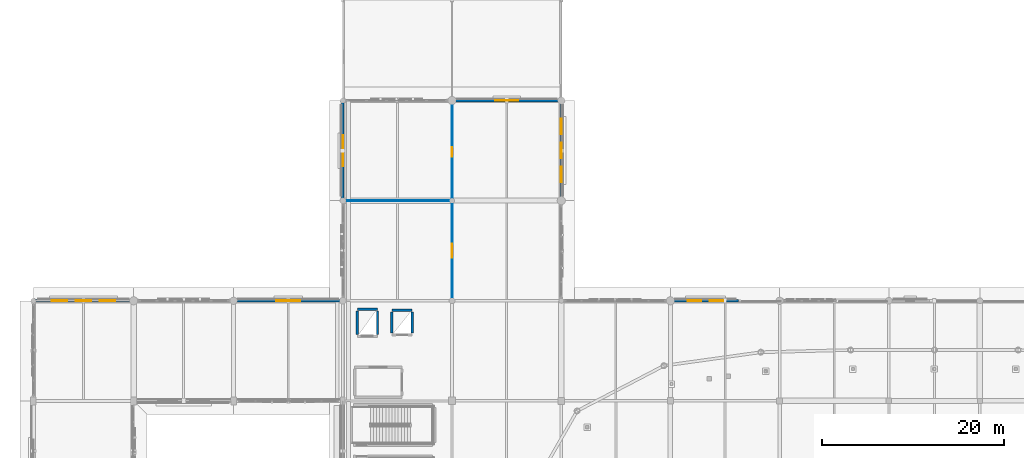
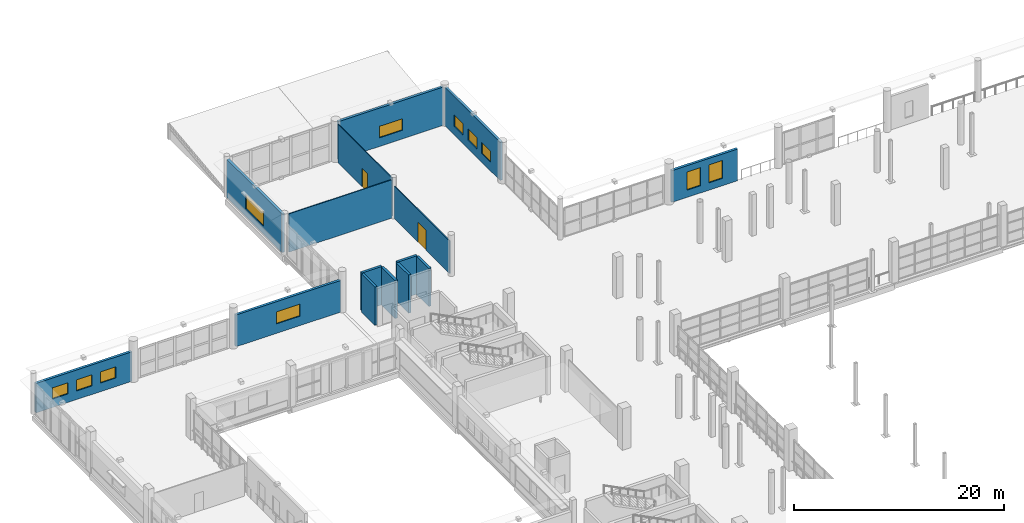
# One storey, part 95 of 143: 15 walls, 11 windows, 2 doors, 13 openings.
"""IFC4 building model written with IfcOpenShell, lengths in metres."""

from ifc_helpers import new_model, si_unit, direction, frame, frame_2d, origin, place, context, subcontext, project, spatial, rectangle, extrude, material, layer, layer_set, type_object, element, fill, save


model = new_model("IFC4")

# Units and contexts
model_context = context("Model", 3, precision=1e-05, world=origin(), true_north=direction((0.0, 1.0)))
body_context = subcontext(model_context, "Body", "Model", "MODEL_VIEW")
ifc_project = project(units=[si_unit("LENGTHUNIT", "METRE"), si_unit("AREAUNIT", "SQUARE_METRE"), si_unit("VOLUMEUNIT", "CUBIC_METRE"), si_unit("PLANEANGLEUNIT", "RADIAN"), si_unit("MASSUNIT", "GRAM", prefix="KILO")], contexts=[model_context])

# Site, building, storey
site_placement = place(None, origin())
site = spatial("IfcSite", under=ifc_project, at=site_placement, CompositionType="ELEMENT")
building_placement = place(site_placement, origin())
building = spatial("IfcBuilding", under=site, at=building_placement, Name="Luwafu Chhajja Arena", CompositionType="ELEMENT")
storey_placement = place(building_placement, frame((0.0, 0.0, 5.39990234375)))
storey = spatial("IfcBuildingStorey", under=building, at=storey_placement, Name="L01", CompositionType="ELEMENT", Elevation=5.39990234375)

# Wall, openings, windows
ifc_material_1 = material(Name="Concrete C35/45", Category="concrete")
ifc_layer_1 = layer(ifc_material_1, 0.280029296875, Name="Concrete C35/45")
ifc_layer_set_1 = layer_set([ifc_layer_1], Name="Concrete C35/45")
wall_type_1 = type_object("IfcWallType", Name="Colonnade Arcade Spandrel Wall 280", PredefinedType="SOLIDWALL", material=ifc_layer_set_1)
wall_1_placement = place(storey_placement, frame((0.219970703125, 99.0, 0.0), z_axis=(0.0, 0.0, 1.0), x_axis=(1.0, 0.0, 0.0)))
wall_1 = element("IfcWall", 1, at=wall_1_placement, inside=storey, type_object=wall_type_1, Name="L01 Exterior Wall WEX-L01-113", PredefinedType="SOLIDWALL", context=body_context, shape_type="SweptSolid", body=[
    extrude(rectangle(XDim=10.56005859375, YDim=0.280029296875, at=frame_2d((5.280029296875, 0.0))), origin(), (0.0, 0.0, 1.0), 3.440185546875),
])
opening_1_placement = place(wall_1_placement, frame((1.7900390625, 0.0, 1.0)))
opening_1 = element("IfcOpeningElement", 2, at=opening_1_placement, cuts=wall_1, Name="Opening WN-21", PredefinedType="OPENING", context=body_context, shape_type="SweptSolid", body=[
    extrude(rectangle(XDim=1.699951171875, YDim=1.300048828125, at=frame_2d((0.85009765625, 0.64990234375))), frame((0.0, 0.14990234375, 0.0), z_axis=(0.0, -1.0, 0.0), x_axis=(1.0, 0.0, 0.0)), (0.0, 0.0, 1.0), 0.300048828125),
])
opening_2_placement = place(wall_1_placement, frame((4.429931640625, 0.0, 1.0)))
opening_2 = element("IfcOpeningElement", 3, at=opening_2_placement, cuts=wall_1, Name="Opening WN-21", PredefinedType="OPENING", context=body_context, shape_type="SweptSolid", body=[
    extrude(rectangle(XDim=1.699951171875, YDim=1.300048828125, at=frame_2d((0.85009765625, 0.64990234375))), frame((0.0, 0.14990234375, 0.0), z_axis=(0.0, -1.0, 0.0), x_axis=(1.0, 0.0, 0.0)), (0.0, 0.0, 1.0), 0.300048828125),
])
opening_3_placement = place(wall_1_placement, frame((7.070068359375, 0.0, 1.0)))
opening_3 = element("IfcOpeningElement", 4, at=opening_3_placement, cuts=wall_1, Name="Opening WN-21", PredefinedType="OPENING", context=body_context, shape_type="SweptSolid", body=[
    extrude(rectangle(XDim=1.699951171875, YDim=1.300048828125, at=frame_2d((0.85009765625, 0.64990234375))), frame((0.0, 0.14990234375, 0.0), z_axis=(0.0, -1.0, 0.0), x_axis=(1.0, 0.0, 0.0)), (0.0, 0.0, 1.0), 0.300048828125),
])
ifc_material_2 = material(Name="Solar-control laminated glass", Category="glass")
window_type_1 = type_object("IfcWindowType", Name="Technical Gallery Louvred Window 1700x1300", PartitioningType="SINGLE_PANEL", PredefinedType="WINDOW", material=ifc_material_2)
window_1_placement = place(opening_1_placement, origin())
window_1 = element("IfcWindow", 5, at=window_1_placement, inside=storey, type_object=window_type_1, Name="L01 Facade Window 020", OverallHeight=1.300048828125, OverallWidth=1.699951171875, PartitioningType="SINGLE_PANEL", PredefinedType="WINDOW", context=body_context, shape_type="SweptSolid", body=[
    extrude(rectangle(XDim=1.699951171875, YDim=1.300048828125, at=frame_2d((0.85009765625, 0.64990234375))), frame((0.0, 0.030029296875, 0.0), z_axis=(0.0, -1.0, 0.0), x_axis=(1.0, 0.0, 0.0)), (0.0, 0.0, 1.0), 0.06005859375),
])
fill(opening_1, window_1)
window_2_placement = place(opening_2_placement, origin())
window_2 = element("IfcWindow", 6, at=window_2_placement, inside=storey, type_object=window_type_1, Name="L01 Facade Window 021", OverallHeight=1.300048828125, OverallWidth=1.699951171875, PartitioningType="SINGLE_PANEL", PredefinedType="WINDOW", context=body_context, shape_type="SweptSolid", body=[
    extrude(rectangle(XDim=1.699951171875, YDim=1.300048828125, at=frame_2d((0.85009765625, 0.64990234375))), frame((0.0, 0.030029296875, 0.0), z_axis=(0.0, -1.0, 0.0), x_axis=(1.0, 0.0, 0.0)), (0.0, 0.0, 1.0), 0.06005859375),
])
fill(opening_2, window_2)
window_3_placement = place(opening_3_placement, origin())
window_3 = element("IfcWindow", 7, at=window_3_placement, inside=storey, type_object=window_type_1, Name="L01 Facade Window 022", OverallHeight=1.300048828125, OverallWidth=1.699951171875, PartitioningType="SINGLE_PANEL", PredefinedType="WINDOW", context=body_context, shape_type="SweptSolid", body=[
    extrude(rectangle(XDim=1.699951171875, YDim=1.300048828125, at=frame_2d((0.85009765625, 0.64990234375))), frame((0.0, 0.030029296875, 0.0), z_axis=(0.0, -1.0, 0.0), x_axis=(1.0, 0.0, 0.0)), (0.0, 0.0, 1.0), 0.06005859375),
])
fill(opening_3, window_3)

# Wall, opening, window
wall_2_placement = place(storey_placement, frame((22.219970703125, 99.0, 0.0), z_axis=(0.0, 0.0, 1.0), x_axis=(1.0, 0.0, 0.0)))
wall_2 = element("IfcWall", 8, at=wall_2_placement, inside=storey, type_object=wall_type_1, Name="L01 Exterior Wall WEX-L01-118", PredefinedType="SOLIDWALL", context=body_context, shape_type="SweptSolid", body=[
    extrude(rectangle(XDim=11.56005859375, YDim=0.280029296875, at=frame_2d((5.780029296875, 0.0))), origin(), (0.0, 0.0, 1.0), 3.690185546875),
])
opening_4_placement = place(wall_2_placement, frame((4.47998046875, 0.0, 1.10009765625)))
opening_4 = element("IfcOpeningElement", 9, at=opening_4_placement, cuts=wall_2, Name="Opening WN-09", PredefinedType="OPENING", context=body_context, shape_type="SweptSolid", body=[
    extrude(rectangle(XDim=2.60009765625, YDim=1.39990234375, at=frame_2d((1.300048828125, 0.699951171875))), frame((0.0, 0.14990234375, 0.0), z_axis=(0.0, -1.0, 0.0), x_axis=(1.0, 0.0, 0.0)), (0.0, 0.0, 1.0), 0.300048828125),
])
window_type_2 = type_object("IfcWindowType", Name="Warm-Up Court High Window 2600x1400", PartitioningType="SINGLE_PANEL", PredefinedType="WINDOW", material=ifc_material_2)
window_4_placement = place(opening_4_placement, origin())
window_4 = element("IfcWindow", 10, at=window_4_placement, inside=storey, type_object=window_type_2, Name="L01 Facade Window 030", OverallHeight=1.39990234375, OverallWidth=2.60009765625, PartitioningType="SINGLE_PANEL", PredefinedType="WINDOW", context=body_context, shape_type="SweptSolid", body=[
    extrude(rectangle(XDim=2.60009765625, YDim=1.39990234375, at=frame_2d((1.300048828125, 0.699951171875))), frame((0.0, 0.030029296875, 0.0), z_axis=(0.0, -1.0, 0.0), x_axis=(1.0, 0.0, 0.0)), (0.0, 0.0, 1.0), 0.06005859375),
])
fill(opening_4, window_4)

wall_3_placement = place(storey_placement, frame((34.0, 110.219970703125, 0.0), z_axis=(0.0, 0.0, 1.0), x_axis=(0.0, 1.0, 0.0)))
wall_3 = element("IfcWall", 11, at=wall_3_placement, inside=storey, type_object=wall_type_1, Name="L01 Exterior Wall WEX-L01-123", PredefinedType="SOLIDWALL", context=body_context, shape_type="SweptSolid", body=[
    extrude(rectangle(XDim=10.56005859375, YDim=0.280029296875, at=frame_2d((5.280029296875, 0.0))), origin(), (0.0, 0.0, 1.0), 4.465087890625),
])
opening_5_placement = place(wall_3_placement, frame((3.580078125, 0.0, 0.89990234375)))
opening_5 = element("IfcOpeningElement", 12, at=opening_5_placement, cuts=wall_3, Name="Opening WN-18", PredefinedType="OPENING", context=body_context, shape_type="SweptSolid", body=[
    extrude(rectangle(XDim=3.39990234375, YDim=1.75, at=frame_2d((1.699951171875, 0.875))), frame((0.0, 0.14990234375, 0.0), z_axis=(0.0, -1.0, 0.0), x_axis=(1.0, 0.0, 0.0)), (0.0, 0.0, 1.0), 0.300048828125),
])
window_type_3 = type_object("IfcWindowType", Name="VIP Dining Panoramic Window 3400x1750", PartitioningType="SINGLE_PANEL", PredefinedType="WINDOW", material=ifc_material_2)
window_5_placement = place(opening_5_placement, origin())
window_5 = element("IfcWindow", 13, at=window_5_placement, inside=storey, type_object=window_type_3, Name="L01 Facade Window 038", OverallHeight=1.75, OverallWidth=3.39990234375, PartitioningType="SINGLE_PANEL", PredefinedType="WINDOW", context=body_context, shape_type="SweptSolid", body=[
    extrude(rectangle(XDim=3.39990234375, YDim=1.75, at=frame_2d((1.699951171875, 0.875))), frame((0.0, 0.030029296875, 0.0), z_axis=(0.0, -1.0, 0.0), x_axis=(1.0, 0.0, 0.0)), (0.0, 0.0, 1.0), 0.06005859375),
])
fill(opening_5, window_5)

wall_4_placement = place(storey_placement, frame((46.219970703125, 121.0, 0.0), z_axis=(0.0, 0.0, 1.0), x_axis=(1.0, 0.0, 0.0)))
wall_4 = element("IfcWall", 14, at=wall_4_placement, inside=storey, type_object=wall_type_1, Name="L01 Exterior Wall WEX-L01-125", PredefinedType="SOLIDWALL", context=body_context, shape_type="SweptSolid", body=[
    extrude(rectangle(XDim=11.56005859375, YDim=0.280029296875, at=frame_2d((5.780029296875, 0.0))), origin(), (0.0, 0.0, 1.0), 4.465087890625),
])
opening_6_placement = place(wall_4_placement, frame((4.530029296875, 0.0, 1.0)))
opening_6 = element("IfcOpeningElement", 15, at=opening_6_placement, cuts=wall_4, Name="Opening WN-20", PredefinedType="OPENING", context=body_context, shape_type="SweptSolid", body=[
    extrude(rectangle(XDim=2.5, YDim=1.35009765625, at=frame_2d((1.25, 0.675048828125))), frame((0.0, 0.14990234375, 0.0), z_axis=(0.0, -1.0, 0.0), x_axis=(1.0, 0.0, 0.0)), (0.0, 0.0, 1.0), 0.300048828125),
])
window_type_4 = type_object("IfcWindowType", Name="Broadcast Gallery Slot Window 2500x1350", PartitioningType="SINGLE_PANEL", PredefinedType="WINDOW", material=ifc_material_2)
window_6_placement = place(opening_6_placement, origin())
window_6 = element("IfcWindow", 16, at=window_6_placement, inside=storey, type_object=window_type_4, Name="L01 Facade Window 040", OverallHeight=1.35009765625, OverallWidth=2.5, PartitioningType="SINGLE_PANEL", PredefinedType="WINDOW", context=body_context, shape_type="SweptSolid", body=[
    extrude(rectangle(XDim=2.5, YDim=1.35009765625, at=frame_2d((1.25, 0.675048828125))), frame((0.0, 0.030029296875, 0.0), z_axis=(0.0, -1.0, 0.0), x_axis=(1.0, 0.0, 0.0)), (0.0, 0.0, 1.0), 0.06005859375),
])
fill(opening_6, window_6)

# Wall, openings, windows
wall_5_placement = place(storey_placement, frame((58.0, 110.219970703125, 0.0), z_axis=(0.0, 0.0, 1.0), x_axis=(0.0, 1.0, 0.0)))
wall_5 = element("IfcWall", 17, at=wall_5_placement, inside=storey, type_object=wall_type_1, Name="L01 Exterior Wall WEX-L01-126", PredefinedType="SOLIDWALL", context=body_context, shape_type="SweptSolid", body=[
    extrude(rectangle(XDim=10.56005859375, YDim=0.280029296875, at=frame_2d((5.280029296875, 0.0))), origin(), (0.0, 0.0, 1.0), 4.465087890625),
])
opening_7_placement = place(wall_5_placement, frame((1.7900390625, 0.0, 1.0)))
opening_7 = element("IfcOpeningElement", 18, at=opening_7_placement, cuts=wall_5, Name="Opening WN-21", PredefinedType="OPENING", context=body_context, shape_type="SweptSolid", body=[
    extrude(rectangle(XDim=1.699951171875, YDim=1.300048828125, at=frame_2d((0.85009765625, 0.64990234375))), frame((0.0, 0.14990234375, 0.0), z_axis=(0.0, -1.0, 0.0), x_axis=(1.0, 0.0, 0.0)), (0.0, 0.0, 1.0), 0.300048828125),
])
opening_8_placement = place(wall_5_placement, frame((4.429931640625, 0.0, 1.0)))
opening_8 = element("IfcOpeningElement", 19, at=opening_8_placement, cuts=wall_5, Name="Opening WN-21", PredefinedType="OPENING", context=body_context, shape_type="SweptSolid", body=[
    extrude(rectangle(XDim=1.699951171875, YDim=1.300048828125, at=frame_2d((0.85009765625, 0.64990234375))), frame((0.0, 0.14990234375, 0.0), z_axis=(0.0, -1.0, 0.0), x_axis=(1.0, 0.0, 0.0)), (0.0, 0.0, 1.0), 0.300048828125),
])
opening_9_placement = place(wall_5_placement, frame((7.070068359375, 0.0, 1.0)))
opening_9 = element("IfcOpeningElement", 20, at=opening_9_placement, cuts=wall_5, Name="Opening WN-21", PredefinedType="OPENING", context=body_context, shape_type="SweptSolid", body=[
    extrude(rectangle(XDim=1.699951171875, YDim=1.300048828125, at=frame_2d((0.85009765625, 0.64990234375))), frame((0.0, 0.14990234375, 0.0), z_axis=(0.0, -1.0, 0.0), x_axis=(1.0, 0.0, 0.0)), (0.0, 0.0, 1.0), 0.300048828125),
])
window_7_placement = place(opening_7_placement, origin())
window_7 = element("IfcWindow", 21, at=window_7_placement, inside=storey, type_object=window_type_1, Name="L01 Facade Window 041", OverallHeight=1.300048828125, OverallWidth=1.699951171875, PartitioningType="SINGLE_PANEL", PredefinedType="WINDOW", context=body_context, shape_type="SweptSolid", body=[
    extrude(rectangle(XDim=1.699951171875, YDim=1.300048828125, at=frame_2d((0.85009765625, 0.64990234375))), frame((0.0, 0.030029296875, 0.0), z_axis=(0.0, -1.0, 0.0), x_axis=(1.0, 0.0, 0.0)), (0.0, 0.0, 1.0), 0.06005859375),
])
fill(opening_7, window_7)
window_8_placement = place(opening_8_placement, origin())
window_8 = element("IfcWindow", 22, at=window_8_placement, inside=storey, type_object=window_type_1, Name="L01 Facade Window 042", OverallHeight=1.300048828125, OverallWidth=1.699951171875, PartitioningType="SINGLE_PANEL", PredefinedType="WINDOW", context=body_context, shape_type="SweptSolid", body=[
    extrude(rectangle(XDim=1.699951171875, YDim=1.300048828125, at=frame_2d((0.85009765625, 0.64990234375))), frame((0.0, 0.030029296875, 0.0), z_axis=(0.0, -1.0, 0.0), x_axis=(1.0, 0.0, 0.0)), (0.0, 0.0, 1.0), 0.06005859375),
])
fill(opening_8, window_8)
window_9_placement = place(opening_9_placement, origin())
window_9 = element("IfcWindow", 23, at=window_9_placement, inside=storey, type_object=window_type_1, Name="L01 Facade Window 043", OverallHeight=1.300048828125, OverallWidth=1.699951171875, PartitioningType="SINGLE_PANEL", PredefinedType="WINDOW", context=body_context, shape_type="SweptSolid", body=[
    extrude(rectangle(XDim=1.699951171875, YDim=1.300048828125, at=frame_2d((0.85009765625, 0.64990234375))), frame((0.0, 0.030029296875, 0.0), z_axis=(0.0, -1.0, 0.0), x_axis=(1.0, 0.0, 0.0)), (0.0, 0.0, 1.0), 0.06005859375),
])
fill(opening_9, window_9)

wall_6_placement = place(storey_placement, frame((70.219970703125, 99.0, 0.0), z_axis=(0.0, 0.0, 1.0), x_axis=(1.0, 0.0, 0.0)))
wall_6 = element("IfcWall", 24, at=wall_6_placement, inside=storey, type_object=wall_type_1, Name="L01 Exterior Wall WEX-L01-127", PredefinedType="SOLIDWALL", context=body_context, shape_type="SweptSolid", body=[
    extrude(rectangle(XDim=7.237548828125, YDim=0.280029296875, at=frame_2d((3.61865234375, 0.0))), origin(), (0.0, 0.0, 1.0), 3.690185546875),
])
opening_10_placement = place(wall_6_placement, frame((1.66259765625, 0.0, 0.85009765625)))
opening_10 = element("IfcOpeningElement", 25, at=opening_10_placement, cuts=wall_6, Name="Opening WN-02", PredefinedType="OPENING", context=body_context, shape_type="SweptSolid", body=[
    extrude(rectangle(XDim=1.5, YDim=2.10009765625, at=frame_2d((0.75, 1.050048828125))), frame((0.0, 0.14990234375, 0.0), z_axis=(0.0, -1.0, 0.0), x_axis=(1.0, 0.0, 0.0)), (0.0, 0.0, 1.0), 0.300048828125),
])
opening_11_placement = place(wall_6_placement, frame((4.074951171875, 0.0, 0.85009765625)))
opening_11 = element("IfcOpeningElement", 26, at=opening_11_placement, cuts=wall_6, Name="Opening WN-02", PredefinedType="OPENING", context=body_context, shape_type="SweptSolid", body=[
    extrude(rectangle(XDim=1.5, YDim=2.10009765625, at=frame_2d((0.75, 1.050048828125))), frame((0.0, 0.14990234375, 0.0), z_axis=(0.0, -1.0, 0.0), x_axis=(1.0, 0.0, 0.0)), (0.0, 0.0, 1.0), 0.300048828125),
])
window_type_5 = type_object("IfcWindowType", Name="Mughal Deep-Reveal Punched Window 1500x2100", PartitioningType="SINGLE_PANEL", PredefinedType="WINDOW", material=ifc_material_2)
window_10_placement = place(opening_10_placement, origin())
window_10 = element("IfcWindow", 27, at=window_10_placement, inside=storey, type_object=window_type_5, Name="L01 Facade Window 044", OverallHeight=2.10009765625, OverallWidth=1.5, PartitioningType="SINGLE_PANEL", PredefinedType="WINDOW", context=body_context, shape_type="SweptSolid", body=[
    extrude(rectangle(XDim=1.5, YDim=2.10009765625, at=frame_2d((0.75, 1.050048828125))), frame((0.0, 0.030029296875, 0.0), z_axis=(0.0, -1.0, 0.0), x_axis=(1.0, 0.0, 0.0)), (0.0, 0.0, 1.0), 0.06005859375),
])
fill(opening_10, window_10)
window_11_placement = place(opening_11_placement, origin())
window_11 = element("IfcWindow", 28, at=window_11_placement, inside=storey, type_object=window_type_5, Name="L01 Facade Window 045", OverallHeight=2.10009765625, OverallWidth=1.5, PartitioningType="SINGLE_PANEL", PredefinedType="WINDOW", context=body_context, shape_type="SweptSolid", body=[
    extrude(rectangle(XDim=1.5, YDim=2.10009765625, at=frame_2d((0.75, 1.050048828125))), frame((0.0, 0.030029296875, 0.0), z_axis=(0.0, -1.0, 0.0), x_axis=(1.0, 0.0, 0.0)), (0.0, 0.0, 1.0), 0.06005859375),
])
fill(opening_11, window_11)

# Wall, opening, door
ifc_material_3 = material(Name="Gypsum plasterboard partition")
ifc_layer_2 = layer(ifc_material_3, 0.10009765625, Name="Gypsum plasterboard partition")
ifc_layer_set_2 = layer_set([ifc_layer_2], Name="Gypsum plasterboard partition")
wall_type_2 = type_object("IfcWallType", Name="Drywall Lining Partition 100", PredefinedType="PARTITIONING", material=ifc_layer_set_2)
wall_7_placement = place(storey_placement, frame((46.0, 99.219970703125, 0.0), z_axis=(0.0, 0.0, 1.0), x_axis=(0.0, 1.0, 0.0)))
wall_7 = element("IfcWall", 29, at=wall_7_placement, inside=storey, type_object=wall_type_2, Name="L01 Internal Partition 0224", PredefinedType="PARTITIONING", context=body_context, shape_type="SweptSolid", body=[
    extrude(rectangle(XDim=10.56005859375, YDim=0.10009765625, at=frame_2d((5.280029296875, 0.0))), origin(), (0.0, 0.0, 1.0), 3.7900390625),
])
opening_12_placement = place(wall_7_placement, frame((4.530029296875, 0.0, 0.0)))
opening_12 = element("IfcOpeningElement", 30, at=opening_12_placement, cuts=wall_7, Name="Opening DR-30", PredefinedType="OPENING", context=body_context, shape_type="SweptSolid", body=[
    extrude(rectangle(XDim=1.5, YDim=2.300048828125, at=frame_2d((0.75, 1.14990234375))), frame((0.0, 0.06005859375, 0.0), z_axis=(0.0, -1.0, 0.0), x_axis=(1.0, 0.0, 0.0)), (0.0, 0.0, 1.0), 0.1201171875),
])
ifc_material_4 = material(Name="Anodised bronze glazed double door")
door_type_1 = type_object("IfcDoorType", Name="DR-30", OperationType="DOUBLE_DOOR_SINGLE_SWING", PredefinedType="DOOR", material=ifc_material_4)
door_1_placement = place(opening_12_placement, origin())
door_1 = element("IfcDoor", 31, at=door_1_placement, inside=storey, type_object=door_type_1, Name="L01 Interior Door L01-D035", OperationType="DOUBLE_DOOR_SINGLE_SWING", OverallHeight=2.300048828125, OverallWidth=1.5, PredefinedType="DOOR", context=body_context, shape_type="SweptSolid", body=[
    extrude(rectangle(XDim=1.5, YDim=2.300048828125, at=frame_2d((0.75, 1.14990234375))), frame((0.0, 0.02490234375, 0.0), z_axis=(0.0, -1.0, 0.0), x_axis=(1.0, 0.0, 0.0)), (0.0, 0.0, 1.0), 0.050048828125),
])
fill(opening_12, door_1)

wall_8_placement = place(storey_placement, frame((46.0, 110.219970703125, 0.0), z_axis=(0.0, 0.0, 1.0), x_axis=(0.0, 1.0, 0.0)))
wall_8 = element("IfcWall", 32, at=wall_8_placement, inside=storey, type_object=wall_type_2, Name="L01 Internal Partition 0225", PredefinedType="PARTITIONING", context=body_context, shape_type="SweptSolid", body=[
    extrude(rectangle(XDim=10.300048828125, YDim=0.10009765625, at=frame_2d((5.14990234375, 0.0))), origin(), (0.0, 0.0, 1.0), 4.460205078125),
])
opening_13_placement = place(wall_8_placement, frame((4.6298828125, 0.0, 0.0)))
opening_13 = element("IfcOpeningElement", 33, at=opening_13_placement, cuts=wall_8, Name="Opening DR-28", PredefinedType="OPENING", context=body_context, shape_type="SweptSolid", body=[
    extrude(rectangle(XDim=1.0400390625, YDim=2.14990234375, at=frame_2d((0.52001953125, 1.074951171875))), frame((0.0, 0.06005859375, 0.0), z_axis=(0.0, -1.0, 0.0), x_axis=(1.0, 0.0, 0.0)), (0.0, 0.0, 1.0), 0.1201171875),
])
ifc_material_5 = material(Name="Moisture-resistant laminate leaf")
door_type_2 = type_object("IfcDoorType", Name="DR-28", OperationType="NOTDEFINED", PredefinedType="DOOR", material=ifc_material_5)
door_2_placement = place(opening_13_placement, origin())
door_2 = element("IfcDoor", 34, at=door_2_placement, inside=storey, type_object=door_type_2, Name="L01 Interior Door L01-D036", OperationType="SINGLE_SWING_LEFT", OverallHeight=2.14990234375, OverallWidth=1.0400390625, PredefinedType="DOOR", context=body_context, shape_type="SweptSolid", body=[
    extrude(rectangle(XDim=1.0400390625, YDim=2.14990234375, at=frame_2d((0.52001953125, 1.074951171875))), frame((0.0, 0.02490234375, 0.0), z_axis=(0.0, -1.0, 0.0), x_axis=(1.0, 0.0, 0.0)), (0.0, 0.0, 1.0), 0.050048828125),
])
fill(opening_13, door_2)

# Walls
wall_9_placement = place(storey_placement, frame((34.47998046875, 110.0, 0.0), z_axis=(0.0, 0.0, 1.0), x_axis=(1.0, 0.0, 0.0)))
element("IfcWall", 35, at=wall_9_placement, inside=storey, type_object=wall_type_2, Name="L01 Internal Partition 0252", PredefinedType="PARTITIONING", context=body_context, shape_type="SweptSolid", body=[
    extrude(rectangle(XDim=11.300048828125, YDim=0.10009765625, at=frame_2d((5.64990234375, 0.0))), origin(), (0.0, 0.0, 1.0), 4.460205078125),
])
ifc_layer_3 = layer(ifc_material_1, 0.260009765625, Name="Concrete C35/45")
ifc_layer_set_3 = layer_set([ifc_layer_3], Name="Concrete C35/45")
wall_type_3 = type_object("IfcWallType", Name="Lift and Riser Shaft Wall 260", PredefinedType="SOLIDWALL", material=ifc_layer_set_3)
wall_10_placement = place(storey_placement, frame((35.590087890625, 98.0849609375, 0.0), z_axis=(0.0, 0.0, 1.0), x_axis=(1.0, 0.0, 0.0)))
element("IfcWall", 36, at=wall_10_placement, inside=storey, type_object=wall_type_3, Name="L01 Lift LF-03 Shaft Wall N", PredefinedType="SOLIDWALL", context=body_context, shape_type="SweptSolid", body=[
    extrude(rectangle(XDim=2.219970703125, YDim=0.260009765625, at=frame_2d((1.10986328125, 0.0))), origin(), (0.0, 0.0, 1.0), 4.460205078125),
])
for number, where, z_axis, x_axis, name in (
    (37, (35.590087890625, 95.31494140625, 0.0), (0.0, 0.0, 1.0), (0.0, 1.0, 0.0), "L01 Lift LF-03 Shaft Wall W"),
    (38, (37.81005859375, 95.31494140625, 0.0), (0.0, 0.0, 1.0), (0.0, 1.0, 0.0), "L01 Lift LF-03 Shaft Wall E"),
):
    element("IfcWall", number, at=place(storey_placement, frame(where, z_axis=z_axis, x_axis=x_axis)), inside=storey, type_object=wall_type_3, Name=name, PredefinedType="SOLIDWALL", context=body_context, shape_type="SweptSolid", body=[
        extrude(rectangle(XDim=2.570068359375, YDim=0.260009765625, at=frame_2d((1.28515625, 0.0))), origin(), (0.0, 0.0, 1.0), 4.460205078125),
    ])
wall_11_placement = place(storey_placement, frame((39.389892578125, 97.9599609375, 0.0), z_axis=(0.0, 0.0, 1.0), x_axis=(1.0, 0.0, 0.0)))
element("IfcWall", 39, at=wall_11_placement, inside=storey, type_object=wall_type_3, Name="L01 Lift LF-07 Shaft Wall N", PredefinedType="SOLIDWALL", context=body_context, shape_type="SweptSolid", body=[
    extrude(rectangle(XDim=2.22021484375, YDim=0.260009765625, at=frame_2d((1.110107421875, 0.0))), origin(), (0.0, 0.0, 1.0), 4.460205078125),
])
for number, where, z_axis, x_axis, name in (
    (40, (39.389892578125, 95.43994140625, 0.0), (0.0, 0.0, 1.0), (0.0, 1.0, 0.0), "L01 Lift LF-07 Shaft Wall W"),
    (41, (41.610107421875, 95.43994140625, 0.0), (0.0, 0.0, 1.0), (0.0, 1.0, 0.0), "L01 Lift LF-07 Shaft Wall E"),
):
    element("IfcWall", number, at=place(storey_placement, frame(where, z_axis=z_axis, x_axis=x_axis)), inside=storey, type_object=wall_type_3, Name=name, PredefinedType="SOLIDWALL", context=body_context, shape_type="SweptSolid", body=[
        extrude(rectangle(XDim=2.320068359375, YDim=0.260009765625, at=frame_2d((1.16015625, 0.0))), origin(), (0.0, 0.0, 1.0), 4.460205078125),
    ])

save(model, "model.ifc")
